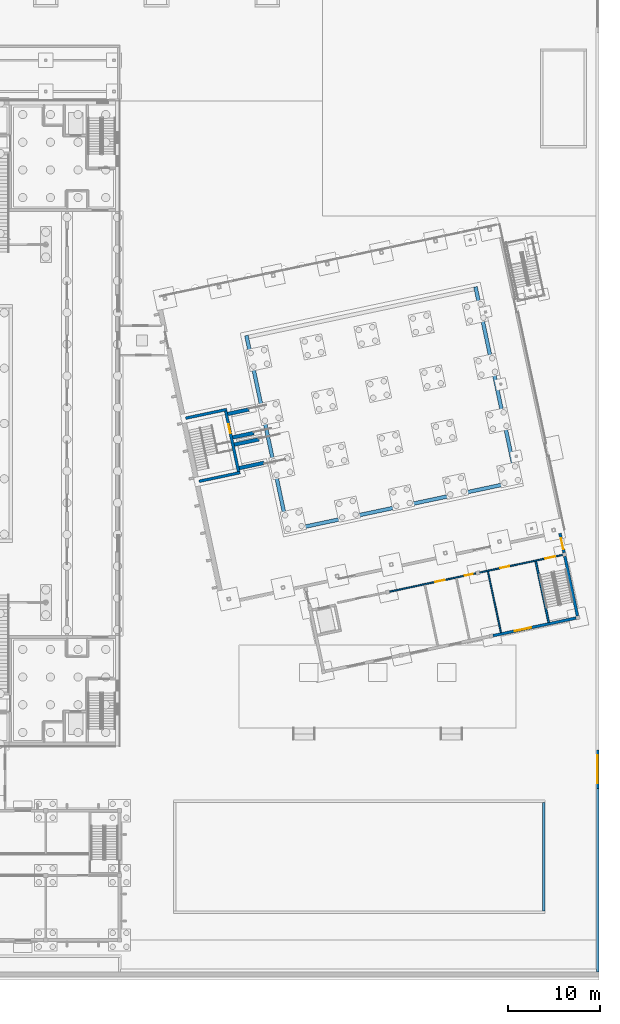
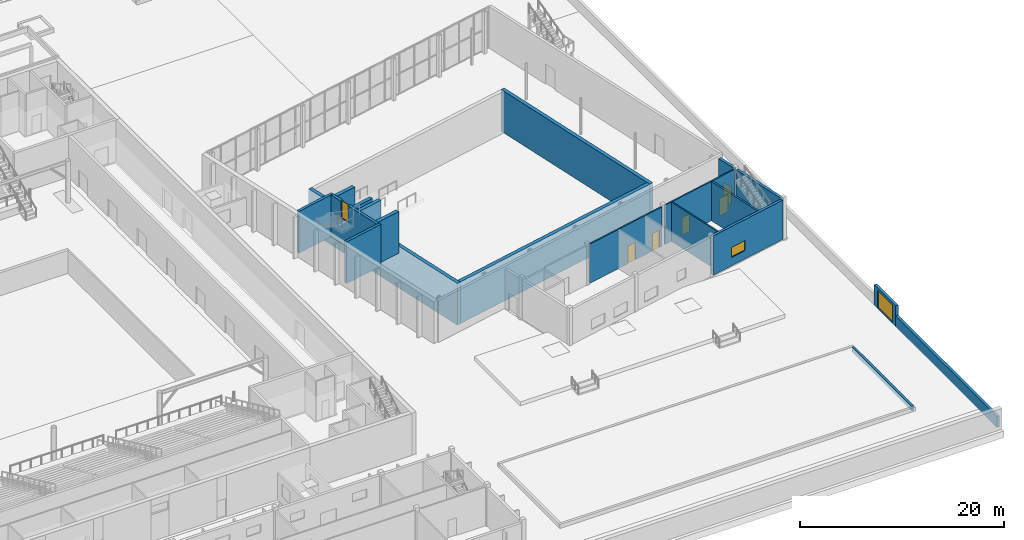
# One storey, part 103 of 157: 20 walls, 7 doors, 1 window, 8 openings.
"""IFC4 building model written with IfcOpenShell, lengths in metres."""

from ifc_helpers import new_model, si_unit, direction, frame, frame_2d, origin, place, context, subcontext, project, spatial, rectangle, extrude, material, layer, layer_set, type_object, element, fill, save


model = new_model("IFC4")

# Units and contexts
model_context = context("Model", 3, precision=1e-05, world=origin(), true_north=direction((0.0, 1.0)))
body_context = subcontext(model_context, "Body", "Model", "MODEL_VIEW")
ifc_project = project(units=[si_unit("LENGTHUNIT", "METRE"), si_unit("AREAUNIT", "SQUARE_METRE"), si_unit("VOLUMEUNIT", "CUBIC_METRE"), si_unit("PLANEANGLEUNIT", "RADIAN"), si_unit("MASSUNIT", "GRAM", prefix="KILO")], contexts=[model_context])

# Site, building, storey
site_placement = place(None, origin())
site = spatial("IfcSite", under=ifc_project, at=site_placement, CompositionType="ELEMENT")
building_placement = place(site_placement, origin())
building = spatial("IfcBuilding", under=site, at=building_placement, Name="Windward Yard Aquatics Centre", CompositionType="ELEMENT")
storey_placement = place(building_placement, origin())
storey = spatial("IfcBuildingStorey", under=building, at=storey_placement, Name="L00", CompositionType="ELEMENT", Elevation=0.0)

# Wall
ifc_material_1 = material(Name="Concrete C35/45", Category="concrete")
ifc_layer_1 = layer(ifc_material_1, 0.199951171875)
ifc_layer_set_1 = layer_set([ifc_layer_1], Name="D annex core wall 200")
wall_type_1 = type_object("IfcWallType", Name="D annex core wall 200", PredefinedType="SOLIDWALL", material=ifc_layer_set_1)
wall_1_placement = place(storey_placement, frame((198.5419921875, 39.427734375, 0.0), z_axis=(0.0, 0.0, 1.0), x_axis=(-0.207940514438, 0.97814147364, 0.0)))
element("IfcWall", 1, at=wall_1_placement, inside=storey, type_object=wall_type_1, Name="D.W.A.L00.SE.W", PredefinedType="SOLIDWALL", context=body_context, shape_type="SweptSolid", body=[
    extrude(rectangle(XDim=6.749755859375, YDim=0.199951171875, at=frame_2d((3.375, 0.0))), origin(), (0.0, 0.0, 1.0), 4.699951171875),
])

# Wall, opening, window
ifc_layer_2 = layer(ifc_material_1, 0.300048828125)
ifc_layer_set_2 = layer_set([ifc_layer_2], Name="D annex external wall 300")
wall_type_2 = type_object("IfcWallType", Name="D annex external wall 300", PredefinedType="ELEMENTEDWALL", material=ifc_layer_set_2)
wall_2_placement = place(storey_placement, frame((192.508544921875, 37.991943359375, 0.0), z_axis=(0.0, 0.0, 1.0), x_axis=(0.978146709523, 0.20791588359, 0.0)))
wall_2 = element("IfcWall", 2, at=wall_2_placement, inside=storey, type_object=wall_type_2, Name="D.W.A.L00.S.3", PredefinedType="ELEMENTEDWALL", context=body_context, shape_type="SweptSolid", body=[
    extrude(rectangle(XDim=9.2001953125, YDim=0.300048828125, at=frame_2d((4.60009765625, 0.0))), origin(), (0.0, 0.0, 1.0), 4.699951171875),
])
opening_1_placement = place(wall_2_placement, frame((2.39990234375, 0.0, 1.0)))
opening_1 = element("IfcOpeningElement", 3, at=opening_1_placement, cuts=wall_2, Name="Opening DW0005", PredefinedType="OPENING", context=body_context, shape_type="SweptSolid", body=[
    extrude(rectangle(XDim=1.800048828125, YDim=1.199951171875, at=frame_2d((0.89990234375, 0.60009765625))), frame((0.0, 0.16015625, 0.0), z_axis=(0.0, -1.0, 0.0), x_axis=(1.0, 0.0, 0.0)), (0.0, 0.0, 1.0), 0.320068359375),
])
ifc_material_2 = material(Name="Aluminium framed double glazing", Category="aluminium")
window_type = type_object("IfcWindowType", Name="D window 1800X1200", PartitioningType="SINGLE_PANEL", PredefinedType="WINDOW", material=ifc_material_2)
window_placement = place(opening_1_placement, origin())
window = element("IfcWindow", 4, at=window_placement, inside=storey, type_object=window_type, Name="Window DW0005", OverallHeight=1.199951171875, OverallWidth=1.800048828125, PartitioningType="SINGLE_PANEL", PredefinedType="WINDOW", context=body_context, shape_type="SweptSolid", body=[
    extrude(rectangle(XDim=1.800048828125, YDim=1.199951171875, at=frame_2d((0.89990234375, 0.60009765625))), frame((0.0, 0.030029296875, 0.0), z_axis=(0.0, -1.0, 0.0), x_axis=(1.0, 0.0, 0.0)), (0.0, 0.0, 1.0), 0.06005859375),
])
fill(opening_1, window)

# Wall
wall_3_placement = place(storey_placement, frame((201.66162109375, 40.141845703125, 0.0), z_axis=(0.0, 0.0, 1.0), x_axis=(-0.207924673876, 0.978144841009, 0.0)))
element("IfcWall", 5, at=wall_3_placement, inside=storey, type_object=wall_type_2, Name="D.W.A.L00.E.1", PredefinedType="ELEMENTEDWALL", context=body_context, shape_type="SweptSolid", body=[
    extrude(rectangle(XDim=6.60009765625, YDim=0.300048828125, at=frame_2d((3.300048828125, 0.0))), origin(), (0.0, 0.0, 1.0), 4.699951171875),
])

# Wall, opening, door
wall_4_placement = place(storey_placement, frame((200.206298828125, 46.989013671875, 0.0), z_axis=(0.0, 0.0, 1.0), x_axis=(-0.207938891219, 0.978141818715, 0.0)))
wall_4 = element("IfcWall", 6, at=wall_4_placement, inside=storey, type_object=wall_type_2, Name="D.W.A.L00.EN.1", PredefinedType="ELEMENTEDWALL", context=body_context, shape_type="SweptSolid", body=[
    extrude(rectangle(XDim=2.149658203125, YDim=0.300048828125, at=frame_2d((1.07470703125, 0.0))), origin(), (0.0, 0.0, 1.0), 4.699951171875),
])
opening_2_placement = place(wall_4_placement, frame((1.599853515625, 0.0, 0.0), z_axis=(0.0, 0.0, 1.0), x_axis=(-1.0, 0.0, 0.0)))
opening_2 = element("IfcOpeningElement", 7, at=opening_2_placement, cuts=wall_4, Name="Opening D0013", PredefinedType="OPENING", context=body_context, shape_type="SweptSolid", body=[
    extrude(rectangle(XDim=1.199951171875, YDim=2.10009765625, at=frame_2d((0.60009765625, 1.050048828125))), frame((0.0, 0.16015625, 0.0), z_axis=(0.0, -1.0, 0.0), x_axis=(1.0, 0.0, 0.0)), (0.0, 0.0, 1.0), 0.320068359375),
])
ifc_material_3 = material(Name="Steel door leaf in steel frame", Category="steel")
door_type_1 = type_object("IfcDoorType", Name="D steel door 1200X2100 FD60", OperationType="SINGLE_SWING_LEFT", PredefinedType="DOOR", material=ifc_material_3)
door_1_placement = place(opening_2_placement, origin())
door_1 = element("IfcDoor", 8, at=door_1_placement, inside=storey, type_object=door_type_1, Name="Annex corridor exit door east", OperationType="SINGLE_SWING_LEFT", OverallHeight=2.10009765625, OverallWidth=1.199951171875, PredefinedType="DOOR", context=body_context, shape_type="SweptSolid", body=[
    extrude(rectangle(XDim=1.199951171875, YDim=2.10009765625, at=frame_2d((0.60009765625, 1.050048828125))), frame((0.0, 0.02490234375, 0.0), z_axis=(0.0, -1.0, 0.0), x_axis=(1.0, 0.0, 0.0)), (0.0, 0.0, 1.0), 0.050048828125),
])
fill(opening_2, door_1)

# Wall, openings, doors
ifc_material_4 = material(Name="Concrete masonry unit plastered", Category="masonry")
ifc_layer_3 = layer(ifc_material_4, 0.14990234375)
ifc_layer_set_3 = layer_set([ifc_layer_3], Name="D annex partition 150")
wall_type_3 = type_object("IfcWallType", Name="D annex partition 150", PredefinedType="PARTITIONING", material=ifc_layer_set_3)
wall_5_placement = place(storey_placement, frame((181.271728515625, 42.759765625, 0.0), z_axis=(0.0, 0.0, 1.0), x_axis=(0.978150512552, 0.207897991319, 0.0)))
wall_5 = element("IfcWall", 9, at=wall_5_placement, inside=storey, type_object=wall_type_3, Name="D.W.A.L00.CP.2", PredefinedType="PARTITIONING", context=body_context, shape_type="SweptSolid", body=[
    extrude(rectangle(XDim=9.60009765625, YDim=0.14990234375, at=frame_2d((4.800048828125, 0.0))), origin(), (0.0, 0.0, 1.0), 4.699951171875),
])
opening_3_placement = place(wall_5_placement, frame((5.10009765625, 0.0, 0.0)))
opening_3 = element("IfcOpeningElement", 10, at=opening_3_placement, cuts=wall_5, Name="Opening D0008", PredefinedType="OPENING", context=body_context, shape_type="SweptSolid", body=[
    extrude(rectangle(XDim=1.0, YDim=2.10009765625, at=frame_2d((0.5, 1.050048828125))), frame((0.0, 0.0849609375, 0.0), z_axis=(0.0, -1.0, 0.0), x_axis=(1.0, 0.0, 0.0)), (0.0, 0.0, 1.0), 0.169921875),
])
opening_4_placement = place(wall_5_placement, frame((8.35009765625, 0.0, 0.0)))
opening_4 = element("IfcOpeningElement", 11, at=opening_4_placement, cuts=wall_5, Name="Opening D0009", PredefinedType="OPENING", context=body_context, shape_type="SweptSolid", body=[
    extrude(rectangle(XDim=0.89990234375, YDim=2.10009765625, at=frame_2d((0.449951171875, 1.050048828125))), frame((0.0, 0.0849609375, 0.0), z_axis=(0.0, -1.0, 0.0), x_axis=(1.0, 0.0, 0.0)), (0.0, 0.0, 1.0), 0.169921875),
])
ifc_material_5 = material(Name="Timber door leaf in steel frame", Category="steel")
door_type_2 = type_object("IfcDoorType", Name="D door 1000X2100 FD30S", OperationType="SINGLE_SWING_LEFT", PredefinedType="DOOR", material=ifc_material_5)
door_2_placement = place(opening_3_placement, origin())
door_2 = element("IfcDoor", 12, at=door_2_placement, inside=storey, type_object=door_type_2, Name="Door D0008", OperationType="SINGLE_SWING_LEFT", OverallHeight=2.10009765625, OverallWidth=1.0, PredefinedType="DOOR", context=body_context, shape_type="SweptSolid", body=[
    extrude(rectangle(XDim=1.0, YDim=2.10009765625, at=frame_2d((0.5, 1.050048828125))), frame((0.0, 0.02490234375, 0.0), z_axis=(0.0, -1.0, 0.0), x_axis=(1.0, 0.0, 0.0)), (0.0, 0.0, 1.0), 0.050048828125),
])
fill(opening_3, door_2)
door_type_3 = type_object("IfcDoorType", Name="D door 900X2100 FD30S", OperationType="SINGLE_SWING_LEFT", PredefinedType="DOOR", material=ifc_material_5)
door_3_placement = place(opening_4_placement, origin())
door_3 = element("IfcDoor", 13, at=door_3_placement, inside=storey, type_object=door_type_3, Name="Door D0009", OperationType="SINGLE_SWING_LEFT", OverallHeight=2.10009765625, OverallWidth=0.89990234375, PredefinedType="DOOR", context=body_context, shape_type="SweptSolid", body=[
    extrude(rectangle(XDim=0.89990234375, YDim=2.10009765625, at=frame_2d((0.449951171875, 1.050048828125))), frame((0.0, 0.02490234375, 0.0), z_axis=(0.0, -1.0, 0.0), x_axis=(1.0, 0.0, 0.0)), (0.0, 0.0, 1.0), 0.050048828125),
])
fill(opening_4, door_3)

wall_6_placement = place(storey_placement, frame((191.05322265625, 44.8388671875, 0.0), z_axis=(0.0, 0.0, 1.0), x_axis=(0.978146709523, 0.20791588359, 0.0)))
wall_6 = element("IfcWall", 14, at=wall_6_placement, inside=storey, type_object=wall_type_3, Name="D.W.A.L00.CP.3", PredefinedType="PARTITIONING", context=body_context, shape_type="SweptSolid", body=[
    extrude(rectangle(XDim=9.2001953125, YDim=0.14990234375, at=frame_2d((4.60009765625, 0.0))), origin(), (0.0, 0.0, 1.0), 4.699951171875),
])
opening_5_placement = place(wall_6_placement, frame((2.300048828125, 0.0, 0.0)))
opening_5 = element("IfcOpeningElement", 15, at=opening_5_placement, cuts=wall_6, Name="Opening D0010", PredefinedType="OPENING", context=body_context, shape_type="SweptSolid", body=[
    extrude(rectangle(XDim=1.0, YDim=2.10009765625, at=frame_2d((0.5, 1.050048828125))), frame((0.0, 0.0849609375, 0.0), z_axis=(0.0, -1.0, 0.0), x_axis=(1.0, 0.0, 0.0)), (0.0, 0.0, 1.0), 0.169921875),
])
opening_6_placement = place(wall_6_placement, frame((7.25, 0.0, 0.0)))
opening_6 = element("IfcOpeningElement", 16, at=opening_6_placement, cuts=wall_6, Name="Opening D0011", PredefinedType="OPENING", context=body_context, shape_type="SweptSolid", body=[
    extrude(rectangle(XDim=1.10009765625, YDim=2.10009765625, at=frame_2d((0.550048828125, 1.050048828125))), frame((0.0, 0.0849609375, 0.0), z_axis=(0.0, -1.0, 0.0), x_axis=(1.0, 0.0, 0.0)), (0.0, 0.0, 1.0), 0.169921875),
])
door_4_placement = place(opening_5_placement, origin())
door_4 = element("IfcDoor", 17, at=door_4_placement, inside=storey, type_object=door_type_2, Name="Door D0010", OperationType="SINGLE_SWING_LEFT", OverallHeight=2.10009765625, OverallWidth=1.0, PredefinedType="DOOR", context=body_context, shape_type="SweptSolid", body=[
    extrude(rectangle(XDim=1.0, YDim=2.10009765625, at=frame_2d((0.5, 1.050048828125))), frame((0.0, 0.02490234375, 0.0), z_axis=(0.0, -1.0, 0.0), x_axis=(1.0, 0.0, 0.0)), (0.0, 0.0, 1.0), 0.050048828125),
])
fill(opening_5, door_4)
door_type_4 = type_object("IfcDoorType", Name="D steel door 1100X2100 FD60", OperationType="SINGLE_SWING_LEFT", PredefinedType="DOOR", material=ifc_material_3)
door_5_placement = place(opening_6_placement, origin())
door_5 = element("IfcDoor", 18, at=door_5_placement, inside=storey, type_object=door_type_4, Name="Door D0011", OperationType="SINGLE_SWING_LEFT", OverallHeight=2.10009765625, OverallWidth=1.10009765625, PredefinedType="DOOR", context=body_context, shape_type="SweptSolid", body=[
    extrude(rectangle(XDim=1.10009765625, YDim=2.10009765625, at=frame_2d((0.550048828125, 1.050048828125))), frame((0.0, 0.02490234375, 0.0), z_axis=(0.0, -1.0, 0.0), x_axis=(1.0, 0.0, 0.0)), (0.0, 0.0, 1.0), 0.050048828125),
])
fill(opening_6, door_5)

# Walls
wall_7_placement = place(storey_placement, frame((193.35791015625, 38.32568359375, 0.0), z_axis=(0.0, 0.0, 1.0), x_axis=(-0.207933157916, 0.978143037515, 0.0)))
element("IfcWall", 19, at=wall_7_placement, inside=storey, type_object=wall_type_3, Name="D.W.A.L00.DV.29.1", PredefinedType="PARTITIONING", context=body_context, shape_type="SweptSolid", body=[
    extrude(rectangle(XDim=6.75, YDim=0.14990234375, at=frame_2d((3.375, 0.0))), origin(), (0.0, 0.0, 1.0), 4.699951171875),
])
ifc_material_6 = material(Name="Ceramic tile in waterproof adhesive")
ifc_layer_4 = layer(ifc_material_6, 0.02, Name="Tile lining")
ifc_material_7 = material(Name="Cementitious waterproofing membrane")
ifc_layer_5 = layer(ifc_material_7, 0.005, Name="Waterproofing")
ifc_material_8 = material(Name="Concrete C40/50", Category="concrete")
ifc_layer_6 = layer(ifc_material_8, 0.375, Name="Structure")
ifc_layer_set_4 = layer_set([ifc_layer_4, ifc_layer_5, ifc_layer_6], Name="D pool tank wall 400")
wall_type_4 = type_object("IfcWallType", Name="D pool tank wall 400", PredefinedType="SOLIDWALL", material=ifc_layer_set_4)
wall_8_placement = place(storey_placement, frame((170.2890625, 49.217529296875, -5.0), z_axis=(0.0, 0.0, 1.0), x_axis=(-0.207912733899, 0.978147379019, 0.0)))
element("IfcWall", 20, at=wall_8_placement, inside=storey, type_object=wall_type_4, Name="Diving Pool Tank Wall West", PredefinedType="SOLIDWALL", context=body_context, shape_type="SweptSolid", body=[
    extrude(rectangle(XDim=21.7998046875, YDim=0.39990234375, at=frame_2d((10.89990234375, 0.0))), origin(), (0.0, 0.0, 1.0), 5.0),
])
wall_9_placement = place(storey_placement, frame((195.134033203125, 54.498291015625, -5.0), z_axis=(0.0, 0.0, 1.0), x_axis=(-0.207910456355, 0.978147863126, 0.0)))
element("IfcWall", 21, at=wall_9_placement, inside=storey, type_object=wall_type_4, Name="Diving Pool Tank Wall East", PredefinedType="SOLIDWALL", context=body_context, shape_type="SweptSolid", body=[
    extrude(rectangle(XDim=21.800048828125, YDim=0.39990234375, at=frame_2d((10.89990234375, 0.0))), origin(), (0.0, 0.0, 1.0), 5.0),
])
wall_10_placement = place(storey_placement, frame((170.443115234375, 49.45458984375, -5.0), z_axis=(0.0, 0.0, 1.0), x_axis=(0.978146216243, 0.207918204227, 0.0)))
element("IfcWall", 22, at=wall_10_placement, inside=storey, type_object=wall_type_4, Name="Diving Pool Tank Wall South", PredefinedType="SOLIDWALL", context=body_context, shape_type="SweptSolid", body=[
    extrude(rectangle(XDim=25.000244140625, YDim=0.39990234375, at=frame_2d((12.5, 0.0))), origin(), (0.0, 0.0, 1.0), 5.0),
])
ifc_layer_7 = layer(ifc_material_1, 0.300048828125)
ifc_layer_set_5 = layer_set([ifc_layer_7], Name="D tower core wall 300")
wall_type_5 = type_object("IfcWallType", Name="D tower core wall 300", PredefinedType="SOLIDWALL", material=ifc_layer_set_5)
wall_11_placement = place(storey_placement, frame((160.632080078125, 54.72998046875, 0.0), z_axis=(0.0, 0.0, 1.0), x_axis=(0.978144256617, 0.207927423029, 0.0)))
element("IfcWall", 23, at=wall_11_placement, inside=storey, type_object=wall_type_5, Name="D.W.TC.S.L00", PredefinedType="SOLIDWALL", context=body_context, shape_type="SweptSolid", body=[
    extrude(rectangle(XDim=4.5498046875, YDim=0.300048828125, at=frame_2d((2.27490234375, 0.0))), origin(), (0.0, 0.0, 1.0), 5.0),
])
wall_12_placement = place(storey_placement, frame((159.176513671875, 61.5771484375, 0.0), z_axis=(0.0, 0.0, 1.0), x_axis=(0.978146576304, 0.207916510322, 0.0)))
element("IfcWall", 24, at=wall_12_placement, inside=storey, type_object=wall_type_5, Name="D.W.TC.N.L00", PredefinedType="SOLIDWALL", context=body_context, shape_type="SweptSolid", body=[
    extrude(rectangle(XDim=4.550048828125, YDim=0.300048828125, at=frame_2d((2.27490234375, 0.0))), origin(), (0.0, 0.0, 1.0), 5.0),
])

# Wall, opening, door
wall_13_placement = place(storey_placement, frame((164.904541015625, 55.791748046875, 0.0), z_axis=(0.0, 0.0, 1.0), x_axis=(-0.207888827103, 0.978152460287, 0.0)))
wall_13 = element("IfcWall", 25, at=wall_13_placement, inside=storey, type_object=wall_type_5, Name="D.W.TC.E.L00", PredefinedType="SOLIDWALL", context=body_context, shape_type="SweptSolid", body=[
    extrude(rectangle(XDim=6.699951171875, YDim=0.300048828125, at=frame_2d((3.35009765625, 0.0))), origin(), (0.0, 0.0, 1.0), 5.0),
])
opening_7_placement = place(wall_13_placement, frame((4.25, 0.0, 3.0)))
opening_7 = element("IfcOpeningElement", 26, at=opening_7_placement, cuts=wall_13, Name="Opening D0005", PredefinedType="OPENING", context=body_context, shape_type="SweptSolid", body=[
    extrude(rectangle(XDim=1.0, YDim=2.0, at=frame_2d((0.5, 1.0))), frame((0.0, 0.16015625, 0.0), z_axis=(0.0, -1.0, 0.0), x_axis=(1.0, 0.0, 0.0)), (0.0, 0.0, 1.0), 0.320068359375),
])
door_type_5 = type_object("IfcDoorType", Name="D steel door 1000X2000 FD60", OperationType="SINGLE_SWING_LEFT", PredefinedType="DOOR", material=ifc_material_3)
door_6_placement = place(opening_7_placement, origin())
door_6 = element("IfcDoor", 27, at=door_6_placement, inside=storey, type_object=door_type_5, Name="Platform door", OperationType="SINGLE_SWING_LEFT", OverallHeight=2.0, OverallWidth=1.0, PredefinedType="DOOR", context=body_context, shape_type="SweptSolid", body=[
    extrude(rectangle(XDim=1.0, YDim=2.0, at=frame_2d((0.5, 1.0))), frame((0.0, 0.02490234375, 0.0), z_axis=(0.0, -1.0, 0.0), x_axis=(1.0, 0.0, 0.0)), (0.0, 0.0, 1.0), 0.050048828125),
])
fill(opening_7, door_6)

# Walls
ifc_layer_8 = layer(ifc_material_1, 0.39990234375)
ifc_layer_set_6 = layer_set([ifc_layer_8], Name="D tower platform support wall 400")
wall_type_6 = type_object("IfcWallType", Name="D tower platform support wall 400", PredefinedType="SOLIDWALL", material=ifc_layer_set_6)
for number, where, z_axis, x_axis, name in (
    (28, (164.978515625, 56.165283203125, 0.0), (0.0, 0.0, 1.0), (0.97816471691, 0.207831149236, 0.0), "D.W.PWSo.1"),
    (29, (164.43798828125, 58.70849609375, 0.0), (0.0, 0.0, 1.0), (0.97816471691, 0.207831149236, 0.0), "D.W.PWSi.1"),
):
    element("IfcWall", number, at=place(storey_placement, frame(where, z_axis=z_axis, x_axis=x_axis)), inside=storey, type_object=wall_type_6, Name=name, PredefinedType="SOLIDWALL", context=body_context, shape_type="SweptSolid", body=[
        extrude(rectangle(XDim=2.75, YDim=0.39990234375, at=frame_2d((1.375, 0.0))), origin(), (0.0, 0.0, 1.0), 5.0),
    ])
for number, where, z_axis, x_axis, name in (
    (30, (163.731201171875, 62.0341796875, 0.0), (0.0, 0.0, 1.0), (0.978152249362, 0.20788981954, 0.0), "D.W.PWNo.1"),
    (31, (164.271728515625, 59.490966796875, 0.0), (0.0, 0.0, 1.0), (0.978152249362, 0.20788981954, 0.0), "D.W.PWNi.1"),
):
    element("IfcWall", number, at=place(storey_placement, frame(where, z_axis=z_axis, x_axis=x_axis)), inside=storey, type_object=wall_type_6, Name=name, PredefinedType="SOLIDWALL", context=body_context, shape_type="SweptSolid", body=[
        extrude(rectangle(XDim=2.349853515625, YDim=0.39990234375, at=frame_2d((1.1748046875, 0.0))), origin(), (0.0, 0.0, 1.0), 5.0),
    ])
ifc_material_9 = material(Name="Concrete C30/37", Category="concrete")
ifc_layer_9 = layer(ifc_material_9, 0.300048828125)
ifc_layer_set_7 = layer_set([ifc_layer_9], Name="X Boundary Wall Concrete C30/37 300 x 1200")
wall_type_7 = type_object("IfcWallType", Name="X Boundary Wall Concrete C30/37 300 x 1200", PredefinedType="SOLIDWALL", material=ifc_layer_set_7)
wall_14_placement = place(storey_placement, frame((203.85009765625, 1.5, -0.10009765625), z_axis=(0.0, 0.0, 1.0), x_axis=(0.0, 1.0, 0.0)))
element("IfcWall", 32, at=wall_14_placement, inside=storey, type_object=wall_type_7, Name="East boundary wall", PredefinedType="SOLIDWALL", context=body_context, shape_type="SweptSolid", body=[
    extrude(rectangle(XDim=19.89990234375, YDim=0.300048828125, at=frame_2d((9.949951171875, 0.0))), origin(), (0.0, 0.0, 1.0), 1.300048828125),
])

# Wall, opening, door
ifc_layer_10 = layer(ifc_material_9, 0.300048828125)
ifc_layer_set_8 = layer_set([ifc_layer_10], Name="X Gate Wall Concrete C30/37 300 x 2400")
wall_type_8 = type_object("IfcWallType", Name="X Gate Wall Concrete C30/37 300 x 2400", PredefinedType="SOLIDWALL", material=ifc_layer_set_8)
wall_15_placement = place(storey_placement, frame((203.85009765625, 21.39990234375, -0.10009765625), z_axis=(0.0, 0.0, 1.0), x_axis=(0.0, 1.0, 0.0)))
wall_15 = element("IfcWall", 33, at=wall_15_placement, inside=storey, type_object=wall_type_8, Name="Gate wall E1", PredefinedType="SOLIDWALL", context=body_context, shape_type="SweptSolid", body=[
    extrude(rectangle(XDim=4.2001953125, YDim=0.300048828125, at=frame_2d((2.10009765625, 0.0))), origin(), (0.0, 0.0, 1.0), 2.5),
])
opening_8_placement = place(wall_15_placement, frame((0.60009765625, 0.0, 0.10009765625)))
opening_8 = element("IfcOpeningElement", 34, at=opening_8_placement, cuts=wall_15, Name="Opening X0009", PredefinedType="OPENING", context=body_context, shape_type="SweptSolid", body=[
    extrude(rectangle(XDim=3.0, YDim=2.10009765625, at=frame_2d((1.5, 1.050048828125))), frame((0.0, 0.16015625, 0.0), z_axis=(0.0, -1.0, 0.0), x_axis=(1.0, 0.0, 0.0)), (0.0, 0.0, 1.0), 0.320068359375),
])
ifc_material_10 = material(Name="Galvanised steel gate leaf", Category="steel")
door_type_6 = type_object("IfcDoorType", Name="X Pedestrian Gate Double 3000 x 2100", OperationType="DOUBLE_DOOR_DOUBLE_SWING", PredefinedType="DOOR", material=ifc_material_10)
door_7_placement = place(opening_8_placement, origin())
door_7 = element("IfcDoor", 35, at=door_7_placement, inside=storey, type_object=door_type_6, Name="Pedestrian exit gate G1", OperationType="DOUBLE_DOOR_DOUBLE_SWING", OverallHeight=2.10009765625, OverallWidth=3.0, PredefinedType="DOOR", context=body_context, shape_type="SweptSolid", body=[
    extrude(rectangle(XDim=3.0, YDim=2.10009765625, at=frame_2d((1.5, 1.050048828125))), frame((0.0, 0.02490234375, 0.0), z_axis=(0.0, -1.0, 0.0), x_axis=(1.0, 0.0, 0.0)), (0.0, 0.0, 1.0), 0.050048828125),
])
fill(opening_8, door_7)

# Wall
ifc_material_11 = material(Name="Bituminous waterproofing membrane with root barrier")
ifc_layer_11 = layer(ifc_material_11, 0.005, Name="Waterproofing and root barrier")
ifc_layer_12 = layer(ifc_material_9, 0.245, Name="Structure")
ifc_layer_set_9 = layer_set([ifc_layer_11, ifc_layer_12], Name="X Planter Wall Concrete C30/37 250 x 550")
wall_type_9 = type_object("IfcWallType", Name="X Planter Wall Concrete C30/37 250 x 550", PredefinedType="USERDEFINED", material=ifc_layer_set_9)
wall_16_placement = place(storey_placement, frame((198.0, 8.125, -0.10009765625), z_axis=(0.0, 0.0, 1.0), x_axis=(0.0, 1.0, 0.0)))
element("IfcWall", 36, at=wall_16_placement, inside=storey, type_object=wall_type_9, Name="East shade garden planter wall", ObjectType="PLANTER WALL", PredefinedType="USERDEFINED", context=body_context, shape_type="SweptSolid", body=[
    extrude(rectangle(XDim=11.75, YDim=0.25, at=frame_2d((5.875, 0.0))), origin(), (0.0, 0.0, 1.0), 0.550048828125),
])

save(model, "model.ifc")
